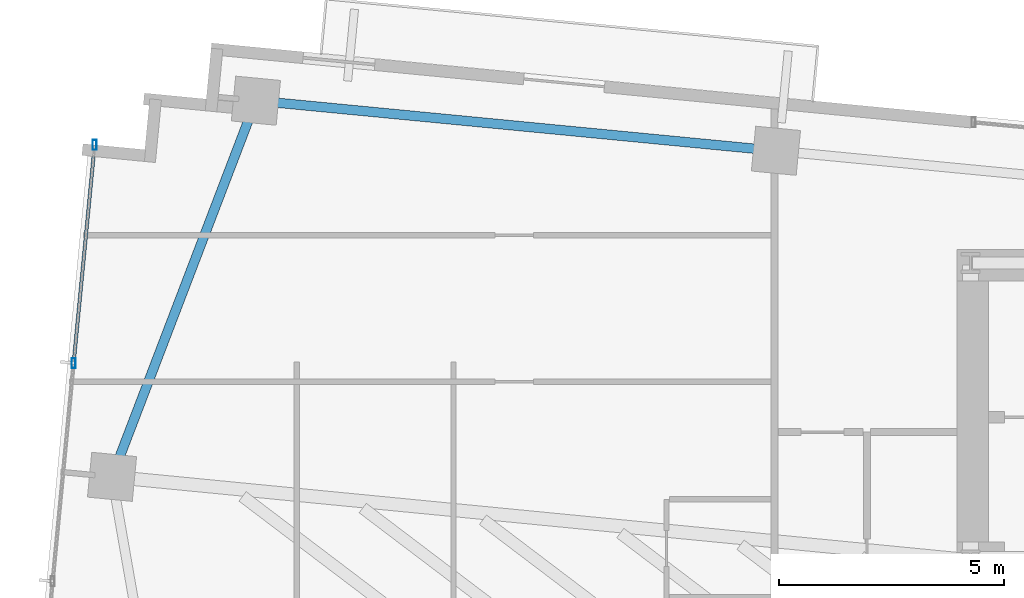
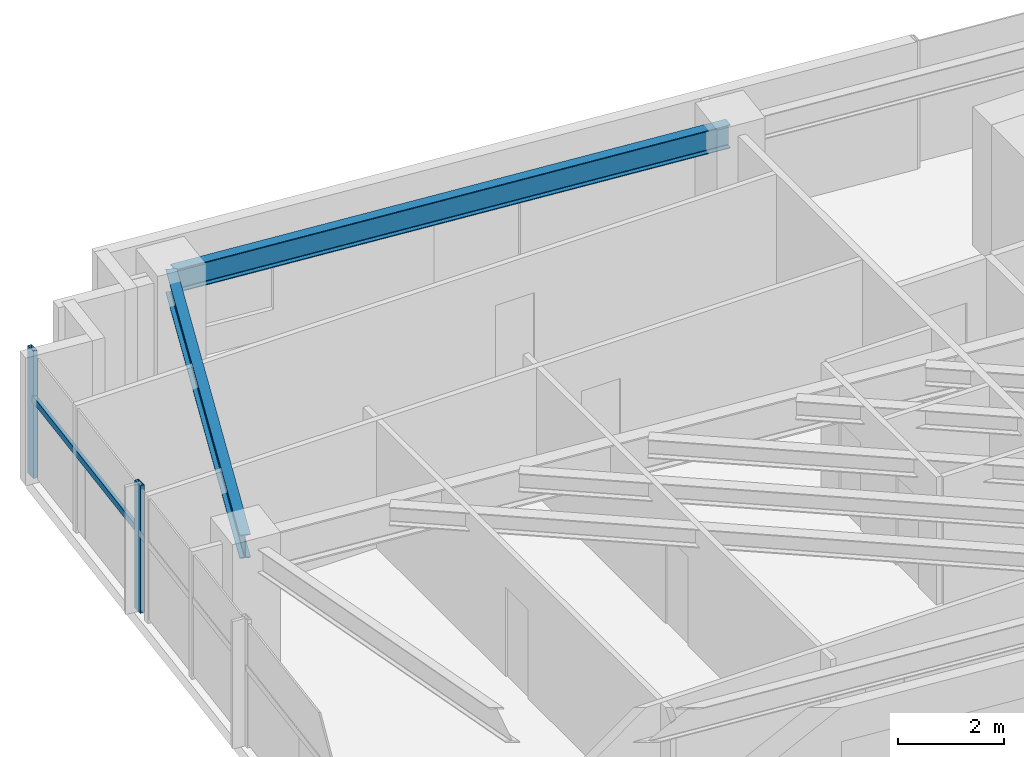
# One storey, part 6 of 20: 3 members, 2 beams, 1 element without a shape of its own.
"""IFC4 building model written with IfcOpenShell, lengths in metres."""

from ifc_helpers import new_model, si_unit, direction, frame, origin, origin_2d, place, context, subcontext, project, spatial, hollow_rectangle, i_section, extrude, source, transform, mapped, material, material_profile, profile_set, type_object, type_shapes, element, aggregate, save


model = new_model("IFC4")

# Units and contexts
model_context = context("Model", 3, precision=1e-05, world=origin(), true_north=direction((0.0, 1.0)))
body_context = subcontext(model_context, "Body", "Model", "MODEL_VIEW")
ifc_project = project(units=[si_unit("LENGTHUNIT", "METRE"), si_unit("AREAUNIT", "SQUARE_METRE"), si_unit("VOLUMEUNIT", "CUBIC_METRE"), si_unit("PLANEANGLEUNIT", "RADIAN"), si_unit("MASSUNIT", "GRAM", prefix="KILO")], contexts=[model_context])

# Site, building, storey
site_placement = place(None, origin())
site = spatial("IfcSite", under=ifc_project, at=site_placement, CompositionType="ELEMENT")
building_placement = place(site_placement, origin())
building = spatial("IfcBuilding", under=site, at=building_placement, Name="Astriad Promenade Condominiums", CompositionType="ELEMENT")
storey_placement = place(building_placement, frame((0.0, 0.0, 153.39990234375)))
storey = spatial("IfcBuildingStorey", under=building, at=storey_placement, Name="L44", CompositionType="ELEMENT", Elevation=153.39990234375)

# Beams
ifc_material_1 = material(Name="Steel ASTM A992 Grade 50", Category="steel")
ifc_material_profile_1 = material_profile(ifc_material_1, i_section(OverallWidth=0.210693359375, OverallDepth=0.53955078125, WebThickness=0.01171875, FlangeThickness=0.018798828125, FilletRadius=0.0166015625, at=origin_2d()), Name="W21X73")
ifc_profile_set_1 = profile_set([ifc_material_profile_1], Name="Steel ASTM A992 Grade 50")
beam_type = type_object("IfcBeamType", Name="STEEL SPANDREL BEAM W21X73", PredefinedType="SPANDREL", material=ifc_profile_set_1)
shared_shape_1 = source(origin(), body_context, "Body", "SweptSolid", [
    extrude(i_section(OverallWidth=0.210693359375, OverallDepth=0.53955078125, WebThickness=0.01171875, FlangeThickness=0.018798828125, FilletRadius=0.0166015625, at=origin_2d()), origin(), (0.0, 0.0, 1.0), 11.52001953125),
])
beam_1_placement = place(storey_placement, frame((22.039794921875, 26.495849609375, 2.67041015625), z_axis=(-0.9953953902, 0.095854145285, 0.0), x_axis=(-0.095854145285, -0.9953953902, 0.0)))
element("IfcBeam", 1, at=beam_1_placement, inside=storey, type_object=beam_type, Name="Perimeter Spandrel Beam SP-N1-L44", PredefinedType="SPANDREL", context=body_context, shape_type="MappedRepresentation", body=[
    mapped(shared_shape_1, transform((0.0, 0.0, 0.0), scale=1.0)),
])
shared_shape_2 = source(origin(), body_context, "Body", "SweptSolid", [
    extrude(i_section(OverallWidth=0.210693359375, OverallDepth=0.53955078125, WebThickness=0.01171875, FlangeThickness=0.018798828125, FilletRadius=0.0166015625, at=origin_2d()), origin(), (0.0, 0.0, 1.0), 8.862548828125),
])
type_shapes(beam_type, [shared_shape_1, shared_shape_2])
beam_2_placement = place(storey_placement, frame((10.518798828125, 27.56640625, 2.67041015625), z_axis=(-0.357322663703, -0.933981003021, 0.0), x_axis=(0.933981003021, -0.357322663703, 0.0)))
element("IfcBeam", 2, at=beam_2_placement, inside=storey, type_object=beam_type, Name="Perimeter Spandrel Beam SP-W2-L44", PredefinedType="SPANDREL", context=body_context, shape_type="MappedRepresentation", body=[
    mapped(shared_shape_2, transform((0.0, 0.0, 0.0), scale=1.0)),
])

# Curtain wall, members
ifc_material_2 = material(Name="Anodised aluminium Black Dark Glass Unitised", Category="aluminium")
curtain_wall_type = type_object("IfcCurtainWallType", Name="CW-B34-DARK", PredefinedType="USERDEFINED", material=ifc_material_2)
curtain_wall_placement = place(storey_placement, origin())
curtain_wall = element("IfcCurtainWall", 3, at=curtain_wall_placement, inside=storey, type_object=curtain_wall_type, Name="CW-L44-W", ObjectType="UNITISED_CURTAIN_WALL", PredefinedType="USERDEFINED")
ifc_material_3 = material(Name="Anodised aluminium 6063-T6 Black", Category="aluminium")
ifc_material_profile_2 = material_profile(ifc_material_3, hollow_rectangle(XDim=0.074951171875, YDim=0.14990234375, WallThickness=0.004150390625, at=origin_2d()), Name="ALU-TRN-75X150")
ifc_profile_set_2 = profile_set([ifc_material_profile_2], Name="Anodised aluminium 6063-T6 Black")
member_type_1 = type_object("IfcMemberType", Name="TRN-ALU-TRN-75X150", PredefinedType="USERDEFINED", material=ifc_profile_set_2)
shared_shape_3 = source(origin(), body_context, "Body", "SweptSolid", [
    extrude(hollow_rectangle(XDim=0.074951171875, YDim=0.14990234375, WallThickness=0.004150390625, at=origin_2d()), origin(), (0.0, 0.0, 1.0), 4.86669921875),
])
type_shapes(member_type_1, [shared_shape_3])
member_1_placement = place(storey_placement, frame((6.486083984375, 21.7783203125, 1.822998046875), z_axis=(0.095817554883, 0.995398913088, 0.0), x_axis=(-0.995398913088, 0.095817554883, 0.0)))
member_1 = element("IfcMember", 4, at=member_1_placement, type_object=member_type_1, Name="CW-L44-W-TRN-02-0", ObjectType="TRANSOM", PredefinedType="USERDEFINED", context=body_context, shape_type="MappedRepresentation", body=[
    mapped(shared_shape_3, transform((0.0, 0.0, 0.0), scale=1.0)),
])
ifc_material_profile_3 = material_profile(ifc_material_3, hollow_rectangle(XDim=0.0849609375, YDim=0.219970703125, WallThickness=0.0048828125, at=origin_2d()), Name="ALU-MUL-85X220")
ifc_profile_set_3 = profile_set([ifc_material_profile_3], Name="Anodised aluminium 6063-T6 Black")
member_type_2 = type_object("IfcMemberType", Name="MUL-ALU-MUL-85X220", PredefinedType="MULLION", material=ifc_profile_set_3)
shared_shape_4 = source(origin(), body_context, "Body", "SweptSolid", [
    extrude(hollow_rectangle(XDim=0.0849609375, YDim=0.219970703125, WallThickness=0.0048828125, at=origin_2d()), origin(), (0.0, 0.0, 1.0), 2.940185546875),
])
type_shapes(member_type_2, [shared_shape_4])
member_2_placement = place(storey_placement, frame((6.486083984375, 21.7783203125, 0.0), z_axis=(0.0, 0.0, 1.0), x_axis=(1.0, 0.0, 0.0)))
member_2 = element("IfcMember", 5, at=member_2_placement, type_object=member_type_2, Name="CW-L44-W-MUL-02", PredefinedType="MULLION", context=body_context, shape_type="MappedRepresentation", body=[
    mapped(shared_shape_4, transform((0.0, 0.0, 0.0), scale=1.0)),
])
member_3_placement = place(storey_placement, frame((6.952392578125, 26.62255859375, 0.0), z_axis=(0.0, 0.0, 1.0), x_axis=(1.0, 0.0, 0.0)))
member_3 = element("IfcMember", 6, at=member_3_placement, type_object=member_type_2, Name="CW-L44-W-MUL-03", PredefinedType="MULLION", context=body_context, shape_type="MappedRepresentation", body=[
    mapped(shared_shape_4, transform((0.0, 0.0, 0.0), scale=1.0)),
])
aggregate(curtain_wall, [member_2, member_3, member_1])

save(model, "model.ifc")
